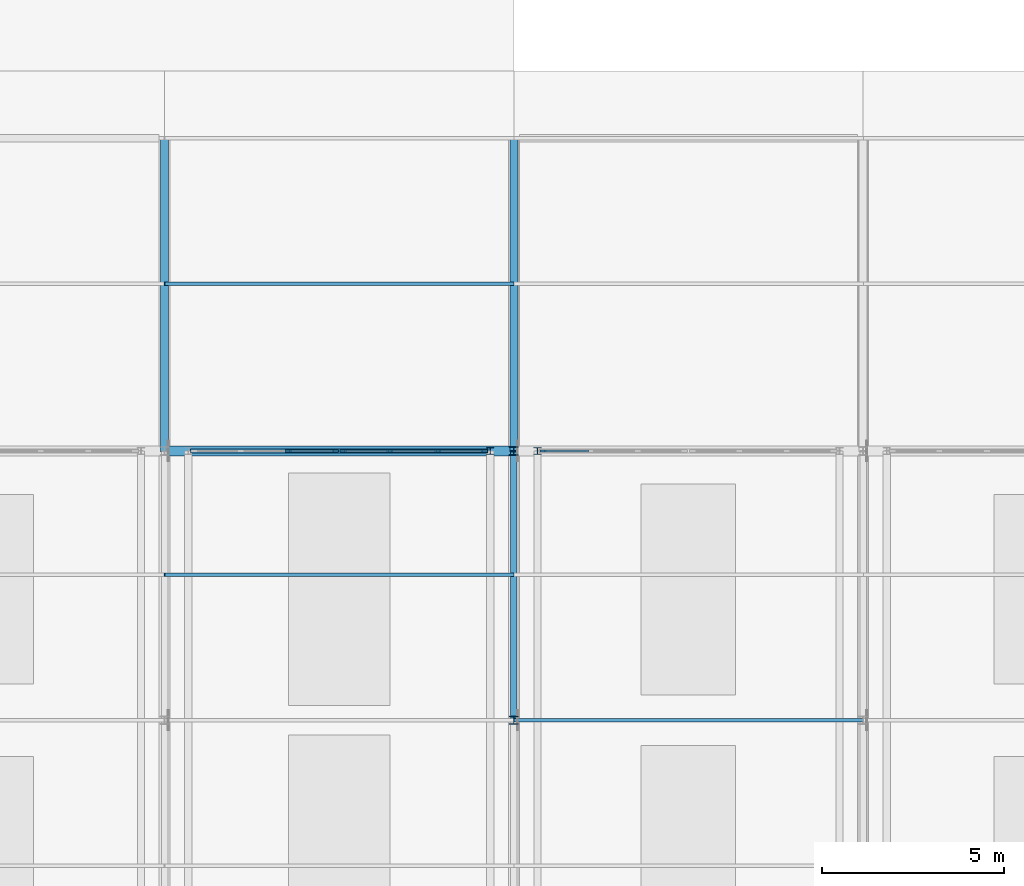
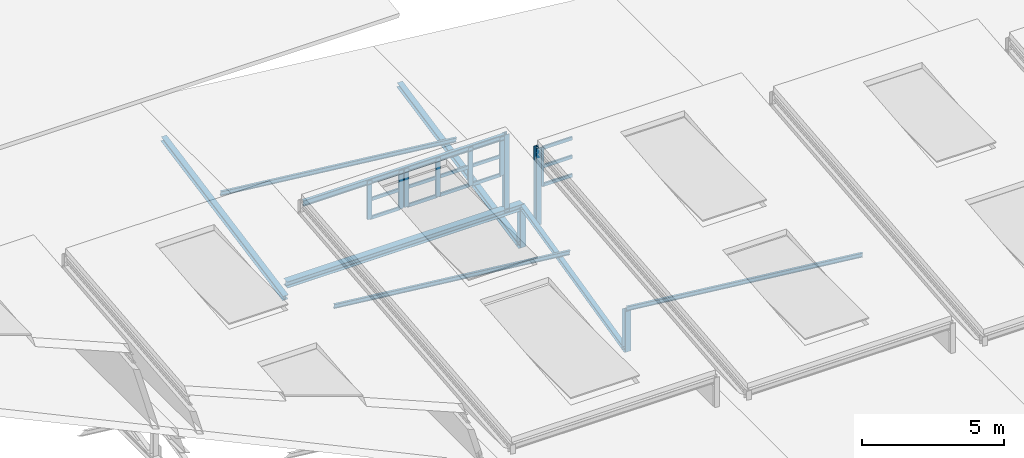
# One storey, part 16 of 30: 32 members, 2 beams, 3 elements without a shape of their own.
"""IFC4 building model written with IfcOpenShell, lengths in metres."""

from ifc_helpers import new_model, si_unit, direction, frame, origin, origin_2d, place, context, subcontext, project, spatial, rectangle, i_section, extrude, material, layer, layer_set, material_profile, profile_set, type_object, element, aggregate, save


model = new_model("IFC4")

# Units and contexts
model_context = context("Model", 3, precision=1e-05, world=origin(), true_north=direction((0.0, 1.0)))
body_context = subcontext(model_context, "Body", "Model", "MODEL_VIEW")
ifc_project = project(units=[si_unit("LENGTHUNIT", "METRE"), si_unit("AREAUNIT", "SQUARE_METRE"), si_unit("VOLUMEUNIT", "CUBIC_METRE"), si_unit("PLANEANGLEUNIT", "RADIAN"), si_unit("MASSUNIT", "GRAM", prefix="KILO")], contexts=[model_context])

# Site, building, storey
site_placement = place(None, origin())
site = spatial("IfcSite", under=ifc_project, at=site_placement, CompositionType="ELEMENT")
building_placement = place(site_placement, origin())
building = spatial("IfcBuilding", under=site, at=building_placement, Name="Alderhovde Museum", CompositionType="ELEMENT")
storey_placement = place(building_placement, frame((0.0, 0.0, 30.699951171875)))
storey = spatial("IfcBuildingStorey", under=building, at=storey_placement, Name="RF", CompositionType="ELEMENT", Elevation=30.699951171875)

# Beams
ifc_material_1 = material(Name="Steel S355J2", Category="steel")
ifc_material_profile_1 = material_profile(ifc_material_1, i_section(OverallWidth=0.280029296875, OverallDepth=0.27001953125, WebThickness=0.008056640625, FlangeThickness=0.012939453125, FilletRadius=0.02392578125, at=origin_2d()), Name="HEA 280")
ifc_profile_set_1 = profile_set([ifc_material_profile_1], Name="Steel S355J2")
beam_type_1 = type_object("IfcBeamType", Name="BM-HEA280", PredefinedType="BEAM", material=ifc_profile_set_1)
beam_1_placement = place(storey_placement, frame((38.39990234375, 71.39990234375, -4.885009765625), z_axis=(1.0, 0.0, 0.0), x_axis=(0.0, 1.0, 0.0)))
element("IfcBeam", 1, at=beam_1_placement, inside=storey, type_object=beam_type_1, Name="Sawtooth Monitor Stringer Bay 4-N", PredefinedType="BEAM", context=body_context, shape_type="SweptSolid", body=[
    extrude(i_section(OverallWidth=0.280029296875, OverallDepth=0.27001953125, WebThickness=0.008056640625, FlangeThickness=0.012939453125, FilletRadius=0.02392578125, at=origin_2d()), origin(), (0.0, 0.0, 1.0), 9.60009765625),
])
ifc_material_2 = material(Name="Steel S355J2", Category="steel")
ifc_material_profile_2 = material_profile(ifc_material_2, i_section(OverallWidth=0.1201171875, OverallDepth=0.239990234375, WebThickness=0.006103515625, FlangeThickness=0.009765625, FilletRadius=0.014892578125, at=origin_2d()), Name="IPE 240")
ifc_profile_set_2 = profile_set([ifc_material_profile_2], Name="Steel S355J2")
beam_type_2 = type_object("IfcBeamType", Name="BM-IPE240", PredefinedType="BEAM", material=ifc_profile_set_2)
beam_2_placement = place(storey_placement, frame((39.110107421875, 71.39990234375, -1.6767578125), z_axis=(1.0, 0.0, 0.0), x_axis=(0.0, 1.0, 0.0)))
element("IfcBeam", 2, at=beam_2_placement, inside=storey, type_object=beam_type_2, Name="Sawtooth Monitor Wedge Rafter Bay 4-N", PredefinedType="BEAM", context=body_context, shape_type="SweptSolid", body=[
    extrude(i_section(OverallWidth=0.1201171875, OverallDepth=0.239990234375, WebThickness=0.006103515625, FlangeThickness=0.009765625, FilletRadius=0.014892578125, at=origin_2d()), origin(), (0.0, 0.0, 1.0), 8.179931640625),
])

# Curtain wall, members
ifc_material_3 = material(Name="Triple-Glazed Bronze-Anodised Curtain Wall", Category="glass")
ifc_layer = layer(ifc_material_3, 0.179931640625)
ifc_layer_set = layer_set([ifc_layer], Name="Triple-Glazed Bronze-Anodised Curtain Wall")
curtain_wall_type = type_object("IfcCurtainWallType", Name="CW-STIC-394x166", PredefinedType="USERDEFINED", material=ifc_layer_set)
curtain_wall_1_placement = place(storey_placement, origin())
curtain_wall_1 = element("IfcCurtainWall", 3, at=curtain_wall_1_placement, inside=storey, type_object=curtain_wall_type, Name="RF Stick Curtain Wall 171", ObjectType="STICK CURTAIN WALL", PredefinedType="USERDEFINED")
ifc_material_4 = material(Name="Bronze-Anodised Aluminium EN AW-6063-T6", Category="aluminium")
ifc_material_profile_3 = material_profile(ifc_material_4, rectangle(XDim=0.06494140625, YDim=0.179931640625, at=origin_2d()), Name="MULLION 65x180")
ifc_profile_set_3 = profile_set([ifc_material_profile_3], Name="Bronze-Anodised Aluminium EN AW-6063-T6")
member_type_1 = type_object("IfcMemberType", Name="CWM-65x180", PredefinedType="MULLION", material=ifc_profile_set_3)
member_1_placement = place(storey_placement, frame((41.806640625, 71.39990234375, -3.306884765625), z_axis=(0.0, 0.0, 1.0), x_axis=(0.0, 1.0, 0.0)))
member_1 = element("IfcMember", 4, at=member_1_placement, type_object=member_type_1, Name="CW39 mullion 3", PredefinedType="MULLION", context=body_context, shape_type="SweptSolid", body=[
    extrude(rectangle(XDim=0.06494140625, YDim=0.179931640625, at=origin_2d()), origin(), (0.0, 0.0, 1.0), 1.659912109375),
])
member_2_placement = place(storey_placement, frame((43.08740234375, 71.39990234375, -3.306884765625), z_axis=(0.0, 0.0, 1.0), x_axis=(0.0, 1.0, 0.0)))
member_2 = element("IfcMember", 5, at=member_2_placement, type_object=member_type_1, Name="CW39 mullion 4", PredefinedType="MULLION", context=body_context, shape_type="SweptSolid", body=[
    extrude(rectangle(XDim=0.06494140625, YDim=0.179931640625, at=origin_2d()), origin(), (0.0, 0.0, 1.0), 1.659912109375),
])

curtain_wall_2_placement = place(storey_placement, origin())
curtain_wall_2 = element("IfcCurtainWall", 6, at=curtain_wall_2_placement, inside=storey, type_object=curtain_wall_type, Name="RF Stick Curtain Wall 172", ObjectType="STICK CURTAIN WALL", PredefinedType="USERDEFINED")
member_3_placement = place(storey_placement, frame((43.3125, 71.39990234375, -3.306884765625), z_axis=(0.0, 0.0, 1.0), x_axis=(0.0, 1.0, 0.0)))
member_3 = element("IfcMember", 7, at=member_3_placement, type_object=member_type_1, Name="CW39 mullion 1", PredefinedType="MULLION", context=body_context, shape_type="SweptSolid", body=[
    extrude(rectangle(XDim=0.06494140625, YDim=0.179931640625, at=origin_2d()), origin(), (0.0, 0.0, 1.0), 1.659912109375),
])
member_4_placement = place(storey_placement, frame((44.59326171875, 71.39990234375, -3.306884765625), z_axis=(0.0, 0.0, 1.0), x_axis=(0.0, 1.0, 0.0)))
member_4 = element("IfcMember", 8, at=member_4_placement, type_object=member_type_1, Name="CW39 mullion 2", PredefinedType="MULLION", context=body_context, shape_type="SweptSolid", body=[
    extrude(rectangle(XDim=0.06494140625, YDim=0.179931640625, at=origin_2d()), origin(), (0.0, 0.0, 1.0), 1.659912109375),
])
member_5_placement = place(storey_placement, frame((45.90673828125, 71.39990234375, -3.306884765625), z_axis=(0.0, 0.0, 1.0), x_axis=(0.0, 1.0, 0.0)))
member_5 = element("IfcMember", 9, at=member_5_placement, type_object=member_type_1, Name="CW39 mullion 3", PredefinedType="MULLION", context=body_context, shape_type="SweptSolid", body=[
    extrude(rectangle(XDim=0.06494140625, YDim=0.179931640625, at=origin_2d()), origin(), (0.0, 0.0, 1.0), 1.659912109375),
])
member_6_placement = place(storey_placement, frame((47.1875, 71.39990234375, -3.306884765625), z_axis=(0.0, 0.0, 1.0), x_axis=(0.0, 1.0, 0.0)))
member_6 = element("IfcMember", 10, at=member_6_placement, type_object=member_type_1, Name="CW39 mullion 4", PredefinedType="MULLION", context=body_context, shape_type="SweptSolid", body=[
    extrude(rectangle(XDim=0.06494140625, YDim=0.179931640625, at=origin_2d()), origin(), (0.0, 0.0, 1.0), 1.659912109375),
])

# Curtain wall, member
curtain_wall_3_placement = place(storey_placement, origin())
curtain_wall_3 = element("IfcCurtainWall", 11, at=curtain_wall_3_placement, inside=storey, type_object=curtain_wall_type, Name="RF Stick Curtain Wall 173", ObjectType="STICK CURTAIN WALL", PredefinedType="USERDEFINED")
member_7_placement = place(storey_placement, frame((48.8125, 71.39990234375, -4.344970703125), z_axis=(0.0, 0.0, 1.0), x_axis=(0.0, 1.0, 0.0)))
member_7 = element("IfcMember", 12, at=member_7_placement, type_object=member_type_1, Name="CW39 mullion 1", PredefinedType="MULLION", context=body_context, shape_type="SweptSolid", body=[
    extrude(rectangle(XDim=0.06494140625, YDim=0.179931640625, at=origin_2d()), origin(), (0.0, 0.0, 1.0), 1.659912109375),
])

# Member
ifc_material_5 = material(Name="Bronze-Anodised Aluminium EN AW-6063-T6", Category="aluminium")
ifc_material_profile_4 = material_profile(ifc_material_5, rectangle(XDim=0.06494140625, YDim=0.139892578125, at=origin_2d()), Name="TRANSOM 65x140")
ifc_profile_set_4 = profile_set([ifc_material_profile_4], Name="Bronze-Anodised Aluminium EN AW-6063-T6")
member_type_2 = type_object("IfcMemberType", Name="CWT-65x140", PredefinedType="USERDEFINED", material=ifc_profile_set_4)
member_8_placement = place(storey_placement, frame((41.839111328125, 71.39990234375, -3.2744140625), z_axis=(1.0, 0.0, 0.0), x_axis=(0.0, 1.0, 0.0)))
member_8 = element("IfcMember", 13, at=member_8_placement, type_object=member_type_2, Name="CW39 transom 3.1", ObjectType="TRANSOM", PredefinedType="USERDEFINED", context=body_context, shape_type="SweptSolid", body=[
    extrude(rectangle(XDim=0.06494140625, YDim=0.139892578125, at=origin_2d()), origin(), (0.0, 0.0, 1.0), 1.2158203125),
])

member_9_placement = place(storey_placement, frame((41.839111328125, 71.39990234375, -2.47705078125), z_axis=(1.0, 0.0, 0.0), x_axis=(0.0, 1.0, 0.0)))
member_9 = element("IfcMember", 14, at=member_9_placement, type_object=member_type_2, Name="CW39 transom 3.2", ObjectType="TRANSOM", PredefinedType="USERDEFINED", context=body_context, shape_type="SweptSolid", body=[
    extrude(rectangle(XDim=0.06494140625, YDim=0.139892578125, at=origin_2d()), origin(), (0.0, 0.0, 1.0), 1.2158203125),
])

member_10_placement = place(storey_placement, frame((41.839111328125, 71.39990234375, -1.679443359375), z_axis=(1.0, 0.0, 0.0), x_axis=(0.0, 1.0, 0.0)))
member_10 = element("IfcMember", 15, at=member_10_placement, type_object=member_type_2, Name="CW39 transom 3.3", ObjectType="TRANSOM", PredefinedType="USERDEFINED", context=body_context, shape_type="SweptSolid", body=[
    extrude(rectangle(XDim=0.06494140625, YDim=0.139892578125, at=origin_2d()), origin(), (0.0, 0.0, 1.0), 1.2158203125),
])

aggregate(curtain_wall_1, [member_1, member_2, member_8, member_9, member_10])

member_11_placement = place(storey_placement, frame((43.344970703125, 71.39990234375, -3.2744140625), z_axis=(1.0, 0.0, 0.0), x_axis=(0.0, 1.0, 0.0)))
member_11 = element("IfcMember", 16, at=member_11_placement, type_object=member_type_2, Name="CW39 transom 1.1", ObjectType="TRANSOM", PredefinedType="USERDEFINED", context=body_context, shape_type="SweptSolid", body=[
    extrude(rectangle(XDim=0.06494140625, YDim=0.139892578125, at=origin_2d()), origin(), (0.0, 0.0, 1.0), 1.2158203125),
])

member_12_placement = place(storey_placement, frame((43.344970703125, 71.39990234375, -2.47705078125), z_axis=(1.0, 0.0, 0.0), x_axis=(0.0, 1.0, 0.0)))
member_12 = element("IfcMember", 17, at=member_12_placement, type_object=member_type_2, Name="CW39 transom 1.2", ObjectType="TRANSOM", PredefinedType="USERDEFINED", context=body_context, shape_type="SweptSolid", body=[
    extrude(rectangle(XDim=0.06494140625, YDim=0.139892578125, at=origin_2d()), origin(), (0.0, 0.0, 1.0), 1.2158203125),
])

member_13_placement = place(storey_placement, frame((43.344970703125, 71.39990234375, -1.679443359375), z_axis=(1.0, 0.0, 0.0), x_axis=(0.0, 1.0, 0.0)))
member_13 = element("IfcMember", 18, at=member_13_placement, type_object=member_type_2, Name="CW39 transom 1.3", ObjectType="TRANSOM", PredefinedType="USERDEFINED", context=body_context, shape_type="SweptSolid", body=[
    extrude(rectangle(XDim=0.06494140625, YDim=0.139892578125, at=origin_2d()), origin(), (0.0, 0.0, 1.0), 1.2158203125),
])

member_14_placement = place(storey_placement, frame((44.625732421875, 71.39990234375, -3.2744140625), z_axis=(1.0, 0.0, 0.0), x_axis=(0.0, 1.0, 0.0)))
member_14 = element("IfcMember", 19, at=member_14_placement, type_object=member_type_2, Name="CW39 transom 2.1", ObjectType="TRANSOM", PredefinedType="USERDEFINED", context=body_context, shape_type="SweptSolid", body=[
    extrude(rectangle(XDim=0.06494140625, YDim=0.139892578125, at=origin_2d()), origin(), (0.0, 0.0, 1.0), 1.24853515625),
])

member_15_placement = place(storey_placement, frame((44.625732421875, 71.39990234375, -2.47705078125), z_axis=(1.0, 0.0, 0.0), x_axis=(0.0, 1.0, 0.0)))
member_15 = element("IfcMember", 20, at=member_15_placement, type_object=member_type_2, Name="CW39 transom 2.2", ObjectType="TRANSOM", PredefinedType="USERDEFINED", context=body_context, shape_type="SweptSolid", body=[
    extrude(rectangle(XDim=0.06494140625, YDim=0.139892578125, at=origin_2d()), origin(), (0.0, 0.0, 1.0), 1.24853515625),
])

member_16_placement = place(storey_placement, frame((44.625732421875, 71.39990234375, -1.679443359375), z_axis=(1.0, 0.0, 0.0), x_axis=(0.0, 1.0, 0.0)))
member_16 = element("IfcMember", 21, at=member_16_placement, type_object=member_type_2, Name="CW39 transom 2.3", ObjectType="TRANSOM", PredefinedType="USERDEFINED", context=body_context, shape_type="SweptSolid", body=[
    extrude(rectangle(XDim=0.06494140625, YDim=0.139892578125, at=origin_2d()), origin(), (0.0, 0.0, 1.0), 1.24853515625),
])

member_17_placement = place(storey_placement, frame((45.939208984375, 71.39990234375, -3.2744140625), z_axis=(1.0, 0.0, 0.0), x_axis=(0.0, 1.0, 0.0)))
member_17 = element("IfcMember", 22, at=member_17_placement, type_object=member_type_2, Name="CW39 transom 3.1", ObjectType="TRANSOM", PredefinedType="USERDEFINED", context=body_context, shape_type="SweptSolid", body=[
    extrude(rectangle(XDim=0.06494140625, YDim=0.139892578125, at=origin_2d()), origin(), (0.0, 0.0, 1.0), 1.2158203125),
])

member_18_placement = place(storey_placement, frame((45.939208984375, 71.39990234375, -2.47705078125), z_axis=(1.0, 0.0, 0.0), x_axis=(0.0, 1.0, 0.0)))
member_18 = element("IfcMember", 23, at=member_18_placement, type_object=member_type_2, Name="CW39 transom 3.2", ObjectType="TRANSOM", PredefinedType="USERDEFINED", context=body_context, shape_type="SweptSolid", body=[
    extrude(rectangle(XDim=0.06494140625, YDim=0.139892578125, at=origin_2d()), origin(), (0.0, 0.0, 1.0), 1.2158203125),
])

member_19_placement = place(storey_placement, frame((45.939208984375, 71.39990234375, -1.679443359375), z_axis=(1.0, 0.0, 0.0), x_axis=(0.0, 1.0, 0.0)))
member_19 = element("IfcMember", 24, at=member_19_placement, type_object=member_type_2, Name="CW39 transom 3.3", ObjectType="TRANSOM", PredefinedType="USERDEFINED", context=body_context, shape_type="SweptSolid", body=[
    extrude(rectangle(XDim=0.06494140625, YDim=0.139892578125, at=origin_2d()), origin(), (0.0, 0.0, 1.0), 1.2158203125),
])

aggregate(curtain_wall_2, [member_3, member_4, member_5, member_6, member_11, member_12, member_13, member_14, member_15, member_16, member_17, member_18, member_19])

member_20_placement = place(storey_placement, frame((48.844970703125, 71.39990234375, -4.3125), z_axis=(1.0, 0.0, 0.0), x_axis=(0.0, 1.0, 0.0)))
member_20 = element("IfcMember", 25, at=member_20_placement, type_object=member_type_2, Name="CW39 transom 1.1", ObjectType="TRANSOM", PredefinedType="USERDEFINED", context=body_context, shape_type="SweptSolid", body=[
    extrude(rectangle(XDim=0.06494140625, YDim=0.139892578125, at=origin_2d()), origin(), (0.0, 0.0, 1.0), 1.2158203125),
])

member_21_placement = place(storey_placement, frame((48.844970703125, 71.39990234375, -3.514892578125), z_axis=(1.0, 0.0, 0.0), x_axis=(0.0, 1.0, 0.0)))
member_21 = element("IfcMember", 26, at=member_21_placement, type_object=member_type_2, Name="CW39 transom 1.2", ObjectType="TRANSOM", PredefinedType="USERDEFINED", context=body_context, shape_type="SweptSolid", body=[
    extrude(rectangle(XDim=0.06494140625, YDim=0.139892578125, at=origin_2d()), origin(), (0.0, 0.0, 1.0), 1.2158203125),
])

member_22_placement = place(storey_placement, frame((48.844970703125, 71.39990234375, -2.717529296875), z_axis=(1.0, 0.0, 0.0), x_axis=(0.0, 1.0, 0.0)))
member_22 = element("IfcMember", 27, at=member_22_placement, type_object=member_type_2, Name="CW39 transom 1.3", ObjectType="TRANSOM", PredefinedType="USERDEFINED", context=body_context, shape_type="SweptSolid", body=[
    extrude(rectangle(XDim=0.06494140625, YDim=0.139892578125, at=origin_2d()), origin(), (0.0, 0.0, 1.0), 1.2158203125),
])

aggregate(curtain_wall_3, [member_7, member_20, member_21, member_22])

# Members
ifc_material_6 = material(Name="Steel S355J2", Category="steel")
ifc_material_profile_5 = material_profile(ifc_material_6, i_section(OverallWidth=0.091064453125, OverallDepth=0.179931640625, WebThickness=0.00537109375, FlangeThickness=0.008056640625, FilletRadius=0.009033203125, at=origin_2d()), Name="IPE 180")
ifc_profile_set_5 = profile_set([ifc_material_profile_5], Name="Steel S355J2")
member_type_3 = type_object("IfcMemberType", Name="PRL-IPE180", PredefinedType="PURLIN", material=ifc_profile_set_5)
for number, where, z_axis, x_axis, name in (
    (28, (38.39990234375, 68.0, -3.806640625), (0.994201715794, 0.0, -0.107531150432), (0.0, 1.0, 0.0), "Folded Wing Roof Purlin Bay 4 Y=68"),
    (29, (38.39990234375, 76.0, -3.806640625), (0.994201715794, 0.0, -0.107531150432), (0.0, 1.0, 0.0), "Folded Wing Roof Purlin Bay 4 Y=76"),
    (30, (48.0, 64.0, -4.844970703125), (0.994201715794, 0.0, -0.107531150432), (0.0, 1.0, 0.0), "Folded Wing Roof Purlin Bay 5 Y=64"),
):
    element("IfcMember", number, at=place(storey_placement, frame(where, z_axis=z_axis, x_axis=x_axis)), inside=storey, type_object=member_type_3, Name=name, PredefinedType="PURLIN", context=body_context, shape_type="SweptSolid", body=[
        extrude(i_section(OverallWidth=0.091064453125, OverallDepth=0.179931640625, WebThickness=0.00537109375, FlangeThickness=0.008056640625, FilletRadius=0.009033203125, at=origin_2d()), origin(), (0.0, 0.0, 1.0), 9.656005859375),
    ])
ifc_material_7 = material(Name="Steel S355J2", Category="steel")
ifc_material_profile_6 = material_profile(ifc_material_7, i_section(OverallWidth=0.179931640625, OverallDepth=0.1708984375, WebThickness=0.006103515625, FlangeThickness=0.009521484375, FilletRadius=0.014892578125, at=origin_2d()), Name="HEA 180")
ifc_profile_set_6 = profile_set([ifc_material_profile_6], Name="Steel S355J2")
member_type_4 = type_object("IfcMemberType", Name="TR-DG-HEA180", PredefinedType="RAFTER", material=ifc_profile_set_6)
member_23_placement = place(storey_placement, frame((48.0, 64.0, -6.635009765625), z_axis=(0.0, 0.973157163281, 0.230141555473), x_axis=(-1.0, 0.0, 0.0)))
element("IfcMember", 31, at=member_23_placement, inside=storey, type_object=member_type_4, Name="Sawtooth Roof Truss X=48.0 Web Diagonal 3", PredefinedType="RAFTER", context=body_context, shape_type="SweptSolid", body=[
    extrude(i_section(OverallWidth=0.179931640625, OverallDepth=0.1708984375, WebThickness=0.006103515625, FlangeThickness=0.009521484375, FilletRadius=0.014892578125, at=origin_2d()), origin(), (0.0, 0.0, 1.0), 7.60400390625),
])
ifc_material_8 = material(Name="Steel S355J2", Category="steel")
ifc_material_profile_7 = material_profile(ifc_material_8, i_section(OverallWidth=0.219970703125, OverallDepth=0.2099609375, WebThickness=0.007080078125, FlangeThickness=0.010986328125, FilletRadius=0.01806640625, at=origin_2d()), Name="HEA 220")
ifc_profile_set_7 = profile_set([ifc_material_profile_7], Name="Steel S355J2")
member_type_5 = type_object("IfcMemberType", Name="TR-DG-HEA220", PredefinedType="RAFTER", material=ifc_profile_set_7)
member_24_placement = place(storey_placement, frame((38.39990234375, 71.39990234375, -5.510009765625), z_axis=(0.0, 0.981805504769, 0.189889311985), x_axis=(-1.0, 0.0, 0.0)))
element("IfcMember", 32, at=member_24_placement, inside=storey, type_object=member_type_5, Name="Sawtooth Roof Truss X=38.4 Web Diagonal 4", PredefinedType="RAFTER", context=body_context, shape_type="SweptSolid", body=[
    extrude(i_section(OverallWidth=0.219970703125, OverallDepth=0.2099609375, WebThickness=0.007080078125, FlangeThickness=0.010986328125, FilletRadius=0.01806640625, at=origin_2d()), origin(), (0.0, 0.0, 1.0), 8.759521484375),
])
member_25_placement = place(storey_placement, frame((48.0, 71.39990234375, -6.635009765625), z_axis=(0.0, 0.97991824063, 0.199399703311), x_axis=(-1.0, 0.0, 0.0)))
element("IfcMember", 33, at=member_25_placement, inside=storey, type_object=member_type_5, Name="Sawtooth Roof Truss X=48.0 Web Diagonal 4", PredefinedType="RAFTER", context=body_context, shape_type="SweptSolid", body=[
    extrude(i_section(OverallWidth=0.219970703125, OverallDepth=0.2099609375, WebThickness=0.007080078125, FlangeThickness=0.010986328125, FilletRadius=0.01806640625, at=origin_2d()), origin(), (0.0, 0.0, 1.0), 8.7763671875),
])
ifc_material_9 = material(Name="Steel S355J2", Category="steel")
ifc_material_profile_8 = material_profile(ifc_material_9, i_section(OverallWidth=0.199951171875, OverallDepth=0.18994140625, WebThickness=0.006591796875, FlangeThickness=0.010009765625, FilletRadius=0.01806640625, at=origin_2d()), Name="HEA 200")
ifc_profile_set_8 = profile_set([ifc_material_profile_8], Name="Steel S355J2")
member_type_6 = type_object("IfcMemberType", Name="TR-PS-HEA200", PredefinedType="POST", material=ifc_profile_set_8)
for number, where, z_axis, x_axis, name in (
    (34, (47.35009765625, 71.39990234375, -4.885009765625), (0.0, 0.0, 1.0), (1.0, 0.0, 0.0), "Sawtooth Monitor Post Bay 4-3"),
    (35, (48.64990234375, 71.39990234375, -5.92333984375), (0.0, 0.0, 1.0), (1.0, 0.0, 0.0), "Sawtooth Monitor Post Bay 5-4"),
):
    element("IfcMember", number, at=place(storey_placement, frame(where, z_axis=z_axis, x_axis=x_axis)), inside=storey, type_object=member_type_6, Name=name, PredefinedType="POST", context=body_context, shape_type="SweptSolid", body=[
        extrude(i_section(OverallWidth=0.199951171875, OverallDepth=0.18994140625, WebThickness=0.006591796875, FlangeThickness=0.010009765625, FilletRadius=0.01806640625, at=origin_2d()), origin(), (0.0, 0.0, 1.0), 3.328369140625),
    ])
ifc_material_10 = material(Name="Steel S355J2", Category="steel")
ifc_material_profile_9 = material_profile(ifc_material_10, i_section(OverallWidth=0.239990234375, OverallDepth=0.22998046875, WebThickness=0.007568359375, FlangeThickness=0.011962890625, FilletRadius=0.02099609375, at=origin_2d()), Name="HEA 240")
ifc_profile_set_9 = profile_set([ifc_material_profile_9], Name="Steel S355J2")
member_type_7 = type_object("IfcMemberType", Name="TR-PS-HEA240", PredefinedType="POST", material=ifc_profile_set_9)
for number, where, z_axis, x_axis, name in (
    (36, (48.0, 64.0, -6.635009765625), (0.0, 0.0, 1.0), (1.0, 0.0, 0.0), "Sawtooth Roof Truss X=48.0 Web Post 2"),
    (37, (48.0, 71.39990234375, -6.635009765625), (0.0, 0.0, 1.0), (1.0, 0.0, 0.0), "Sawtooth Roof Truss X=48.0 Web Post 3"),
):
    element("IfcMember", number, at=place(storey_placement, frame(where, z_axis=z_axis, x_axis=x_axis)), inside=storey, type_object=member_type_7, Name=name, PredefinedType="POST", context=body_context, shape_type="SweptSolid", body=[
        extrude(i_section(OverallWidth=0.239990234375, OverallDepth=0.22998046875, WebThickness=0.007568359375, FlangeThickness=0.011962890625, FilletRadius=0.02099609375, at=origin_2d()), origin(), (0.0, 0.0, 1.0), 1.75),
    ])

save(model, "model.ifc")
